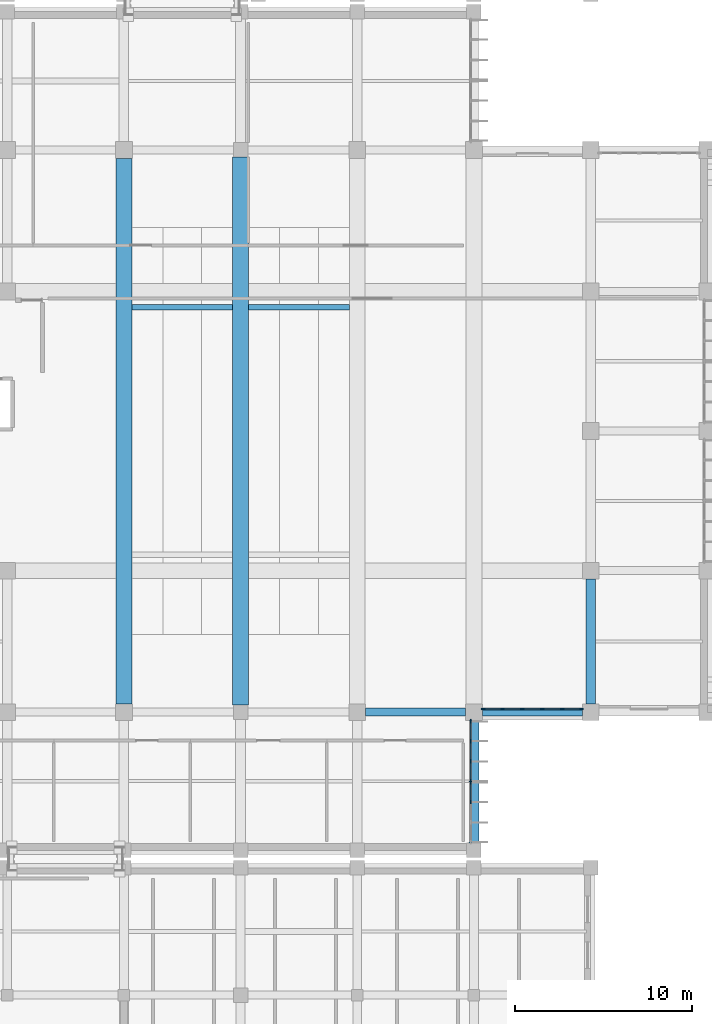
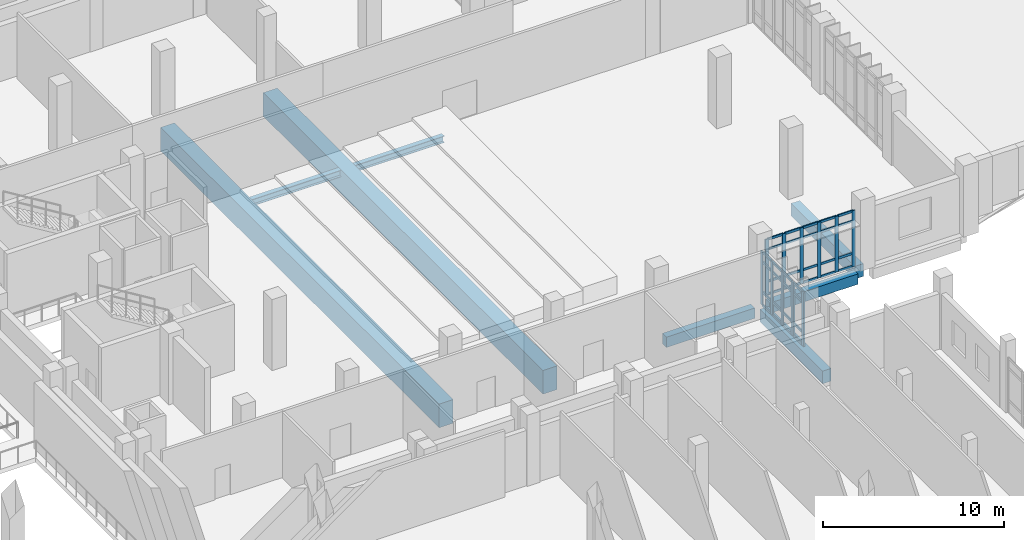
# One storey, part 19 of 90: 48 members, 8 beams, 3 elements without a shape of their own.
"""IFC4 building model written with IfcOpenShell, lengths in metres."""

from ifc_helpers import new_model, si_unit, direction, frame, origin, origin_2d, place, context, subcontext, project, spatial, rectangle, i_section, extrude, material, layer, layer_set, material_profile, profile_set, type_object, element, aggregate, save


model = new_model("IFC4")

# Units and contexts
model_context = context("Model", 3, precision=1e-05, world=origin(), true_north=direction((0.0, 1.0)))
body_context = subcontext(model_context, "Body", "Model", "MODEL_VIEW")
ifc_project = project(units=[si_unit("LENGTHUNIT", "METRE"), si_unit("AREAUNIT", "SQUARE_METRE"), si_unit("VOLUMEUNIT", "CUBIC_METRE"), si_unit("PLANEANGLEUNIT", "RADIAN"), si_unit("MASSUNIT", "GRAM", prefix="KILO")], contexts=[model_context])

# Site, building, storey
site_placement = place(None, origin())
site = spatial("IfcSite", under=ifc_project, at=site_placement, CompositionType="ELEMENT")
building_placement = place(site_placement, origin())
building = spatial("IfcBuilding", under=site, at=building_placement, Name="Kelarvand Opera House", CompositionType="ELEMENT")
storey_placement = place(building_placement, frame((0.0, 0.0, 5.39990234375)))
storey = spatial("IfcBuildingStorey", under=building, at=storey_placement, Name="L01", CompositionType="ELEMENT", Elevation=5.39990234375)

# Curtain wall, members
ifc_material_1 = material(Name="Thermally broken aluminium and low-E glazing", Category="aluminium")
ifc_layer_1 = layer(ifc_material_1, 0.219970703125, Name="Thermally broken aluminium and low-E glazing", Category="aluminium")
ifc_layer_set_1 = layer_set([ifc_layer_1], Name="Thermally broken aluminium and low-E glazing")
curtain_wall_type_1 = type_object("IfcCurtainWallType", Name="Unitised Low-E Curtain Wall 5630x3780 Mod 1150 CWF-03", PredefinedType="USERDEFINED", material=ifc_layer_set_1)
curtain_wall_1_placement = place(storey_placement, origin())
curtain_wall_1 = element("IfcCurtainWall", 1, at=curtain_wall_1_placement, inside=storey, type_object=curtain_wall_type_1, Name="V1 L01 Curtain Wall CWF-03 (12)", ObjectType="UNITISED CURTAIN WALL", PredefinedType="USERDEFINED")
ifc_material_2 = material(Name="Thermally broken anodised aluminium", Category="aluminium")
ifc_material_profile_1 = material_profile(ifc_material_2, rectangle(XDim=0.074951171875, YDim=0.219970703125, at=origin_2d()), Name="ALU MULLION 75x220", Category="aluminium")
ifc_profile_set_1 = profile_set([ifc_material_profile_1], Name="Thermally broken anodised aluminium")
member_type_1 = type_object("IfcMemberType", Name="Curtain Wall Mullion 75x220 Heavy Plaza", PredefinedType="MULLION", material=ifc_profile_set_1)
member_1_placement = place(storey_placement, frame((134.677490234375, 46.780029296875, 0.0), z_axis=(0.0, 0.0, 1.0), x_axis=(0.0, -1.0, 0.0)))
member_1 = element("IfcMember", 2, at=member_1_placement, type_object=member_type_1, Name="CWF-03 mullion 1", PredefinedType="MULLION", context=body_context, shape_type="SweptSolid", body=[
    extrude(rectangle(XDim=0.074951171875, YDim=0.219970703125, at=origin_2d()), origin(), (0.0, 0.0, 1.0), 3.780029296875),
])
member_2_placement = place(storey_placement, frame((133.589111328125, 46.780029296875, 0.0), z_axis=(0.0, 0.0, 1.0), x_axis=(0.0, -1.0, 0.0)))
member_2 = element("IfcMember", 3, at=member_2_placement, type_object=member_type_1, Name="CWF-03 mullion 2", PredefinedType="MULLION", context=body_context, shape_type="SweptSolid", body=[
    extrude(rectangle(XDim=0.074951171875, YDim=0.219970703125, at=origin_2d()), origin(), (0.0, 0.0, 1.0), 3.780029296875),
])
member_3_placement = place(storey_placement, frame((132.462890625, 46.780029296875, 0.0), z_axis=(0.0, 0.0, 1.0), x_axis=(0.0, -1.0, 0.0)))
member_3 = element("IfcMember", 4, at=member_3_placement, type_object=member_type_1, Name="CWF-03 mullion 3", PredefinedType="MULLION", context=body_context, shape_type="SweptSolid", body=[
    extrude(rectangle(XDim=0.074951171875, YDim=0.219970703125, at=origin_2d()), origin(), (0.0, 0.0, 1.0), 3.780029296875),
])
member_4_placement = place(storey_placement, frame((131.3369140625, 46.780029296875, 0.0), z_axis=(0.0, 0.0, 1.0), x_axis=(0.0, -1.0, 0.0)))
member_4 = element("IfcMember", 5, at=member_4_placement, type_object=member_type_1, Name="CWF-03 mullion 4", PredefinedType="MULLION", context=body_context, shape_type="SweptSolid", body=[
    extrude(rectangle(XDim=0.074951171875, YDim=0.219970703125, at=origin_2d()), origin(), (0.0, 0.0, 1.0), 3.780029296875),
])
member_5_placement = place(storey_placement, frame((130.2109375, 46.780029296875, 0.0), z_axis=(0.0, 0.0, 1.0), x_axis=(0.0, -1.0, 0.0)))
member_5 = element("IfcMember", 6, at=member_5_placement, type_object=member_type_1, Name="CWF-03 mullion 5", PredefinedType="MULLION", context=body_context, shape_type="SweptSolid", body=[
    extrude(rectangle(XDim=0.074951171875, YDim=0.219970703125, at=origin_2d()), origin(), (0.0, 0.0, 1.0), 3.780029296875),
])
member_6_placement = place(storey_placement, frame((129.12255859375, 46.780029296875, 0.0), z_axis=(0.0, 0.0, 1.0), x_axis=(0.0, -1.0, 0.0)))
member_6 = element("IfcMember", 7, at=member_6_placement, type_object=member_type_1, Name="CWF-03 mullion 6", PredefinedType="MULLION", context=body_context, shape_type="SweptSolid", body=[
    extrude(rectangle(XDim=0.074951171875, YDim=0.219970703125, at=origin_2d()), origin(), (0.0, 0.0, 1.0), 3.780029296875),
])

ifc_layer_2 = layer(ifc_material_1, 0.219970703125, Name="Thermally broken aluminium and low-E glazing", Category="aluminium")
ifc_layer_set_2 = layer_set([ifc_layer_2], Name="Thermally broken aluminium and low-E glazing")
curtain_wall_type_2 = type_object("IfcCurtainWallType", Name="Unitised Low-E Curtain Wall 3444x3630 Mod 1150 CWF-02", PredefinedType="USERDEFINED", material=ifc_layer_set_2)
curtain_wall_2_placement = place(storey_placement, origin())
curtain_wall_2 = element("IfcCurtainWall", 8, at=curtain_wall_2_placement, inside=storey, type_object=curtain_wall_type_2, Name="V1 L01 Curtain Wall CWF-02 (13)", ObjectType="UNITISED CURTAIN WALL", PredefinedType="USERDEFINED")
member_7_placement = place(storey_placement, frame((128.419921875, 46.077392578125, 0.0), z_axis=(0.0, 0.0, 1.0), x_axis=(1.0, 0.0, 0.0)))
member_7 = element("IfcMember", 9, at=member_7_placement, type_object=member_type_1, Name="CWF-02 mullion 1", PredefinedType="MULLION", context=body_context, shape_type="SweptSolid", body=[
    extrude(rectangle(XDim=0.074951171875, YDim=0.219970703125, at=origin_2d()), origin(), (0.0, 0.0, 1.0), 3.630126953125),
])
member_8_placement = place(storey_placement, frame((128.419921875, 44.96728515625, 0.0), z_axis=(0.0, 0.0, 1.0), x_axis=(1.0, 0.0, 0.0)))
member_8 = element("IfcMember", 10, at=member_8_placement, type_object=member_type_1, Name="CWF-02 mullion 2", PredefinedType="MULLION", context=body_context, shape_type="SweptSolid", body=[
    extrude(rectangle(XDim=0.074951171875, YDim=0.219970703125, at=origin_2d()), origin(), (0.0, 0.0, 1.0), 3.630126953125),
])
member_9_placement = place(storey_placement, frame((128.419921875, 43.8193359375, 0.0), z_axis=(0.0, 0.0, 1.0), x_axis=(1.0, 0.0, 0.0)))
member_9 = element("IfcMember", 11, at=member_9_placement, type_object=member_type_1, Name="CWF-02 mullion 3", PredefinedType="MULLION", context=body_context, shape_type="SweptSolid", body=[
    extrude(rectangle(XDim=0.074951171875, YDim=0.219970703125, at=origin_2d()), origin(), (0.0, 0.0, 1.0), 3.630126953125),
])
member_10_placement = place(storey_placement, frame((128.419921875, 42.708984375, 0.0), z_axis=(0.0, 0.0, 1.0), x_axis=(1.0, 0.0, 0.0)))
member_10 = element("IfcMember", 12, at=member_10_placement, type_object=member_type_1, Name="CWF-02 mullion 4", PredefinedType="MULLION", context=body_context, shape_type="SweptSolid", body=[
    extrude(rectangle(XDim=0.074951171875, YDim=0.219970703125, at=origin_2d()), origin(), (0.0, 0.0, 1.0), 3.630126953125),
])

curtain_wall_3_placement = place(storey_placement, origin())
curtain_wall_3 = element("IfcCurtainWall", 13, at=curtain_wall_3_placement, inside=storey, type_object=curtain_wall_type_2, Name="V1 L01 Curtain Wall CWF-02 (14)", ObjectType="UNITISED CURTAIN WALL", PredefinedType="USERDEFINED")
member_11_placement = place(storey_placement, frame((128.419921875, 42.6298828125, 0.0), z_axis=(0.0, 0.0, 1.0), x_axis=(1.0, 0.0, 0.0)))
member_11 = element("IfcMember", 14, at=member_11_placement, type_object=member_type_1, Name="CWF-02 mullion 1", PredefinedType="MULLION", context=body_context, shape_type="SweptSolid", body=[
    extrude(rectangle(XDim=0.074951171875, YDim=0.219970703125, at=origin_2d()), origin(), (0.0, 0.0, 1.0), 3.630126953125),
])
member_12_placement = place(storey_placement, frame((128.419921875, 41.518310546875, 0.0), z_axis=(0.0, 0.0, 1.0), x_axis=(1.0, 0.0, 0.0)))
member_12 = element("IfcMember", 15, at=member_12_placement, type_object=member_type_1, Name="CWF-02 mullion 2", PredefinedType="MULLION", context=body_context, shape_type="SweptSolid", body=[
    extrude(rectangle(XDim=0.074951171875, YDim=0.219970703125, at=origin_2d()), origin(), (0.0, 0.0, 1.0), 3.630126953125),
])

# Member
ifc_material_profile_2 = material_profile(ifc_material_2, rectangle(XDim=0.074951171875, YDim=0.159912109375, at=origin_2d()), Name="ALU TRANSOM 75x160", Category="aluminium")
ifc_profile_set_2 = profile_set([ifc_material_profile_2], Name="Thermally broken anodised aluminium")
member_type_2 = type_object("IfcMemberType", Name="Curtain Wall Transom 75x160 Heavy Plaza", PredefinedType="USERDEFINED", material=ifc_profile_set_2)
member_13_placement = place(storey_placement, frame((134.639892578125, 46.780029296875, 0.03759765625), z_axis=(-1.0, 0.0, 0.0), x_axis=(0.0, -1.0, 0.0)))
member_13 = element("IfcMember", 16, at=member_13_placement, type_object=member_type_2, Name="CWF-03 transom 1.1", ObjectType="TRANSOM", PredefinedType="USERDEFINED", context=body_context, shape_type="SweptSolid", body=[
    extrude(rectangle(XDim=0.074951171875, YDim=0.159912109375, at=origin_2d()), origin(), (0.0, 0.0, 1.0), 1.013427734375),
])

member_14_placement = place(storey_placement, frame((134.639892578125, 46.780029296875, 0.900146484375), z_axis=(-1.0, 0.0, 0.0), x_axis=(0.0, -1.0, 0.0)))
member_14 = element("IfcMember", 17, at=member_14_placement, type_object=member_type_2, Name="CWF-03 transom 1.2", ObjectType="TRANSOM", PredefinedType="USERDEFINED", context=body_context, shape_type="SweptSolid", body=[
    extrude(rectangle(XDim=0.074951171875, YDim=0.159912109375, at=origin_2d()), origin(), (0.0, 0.0, 1.0), 1.013427734375),
])

member_15_placement = place(storey_placement, frame((134.639892578125, 46.780029296875, 3.080078125), z_axis=(-1.0, 0.0, 0.0), x_axis=(0.0, -1.0, 0.0)))
member_15 = element("IfcMember", 18, at=member_15_placement, type_object=member_type_2, Name="CWF-03 transom 1.3", ObjectType="TRANSOM", PredefinedType="USERDEFINED", context=body_context, shape_type="SweptSolid", body=[
    extrude(rectangle(XDim=0.074951171875, YDim=0.159912109375, at=origin_2d()), origin(), (0.0, 0.0, 1.0), 1.013427734375),
])

member_16_placement = place(storey_placement, frame((134.639892578125, 46.780029296875, 3.74267578125), z_axis=(-1.0, 0.0, 0.0), x_axis=(0.0, -1.0, 0.0)))
member_16 = element("IfcMember", 19, at=member_16_placement, type_object=member_type_2, Name="CWF-03 transom 1.4", ObjectType="TRANSOM", PredefinedType="USERDEFINED", context=body_context, shape_type="SweptSolid", body=[
    extrude(rectangle(XDim=0.074951171875, YDim=0.159912109375, at=origin_2d()), origin(), (0.0, 0.0, 1.0), 1.013427734375),
])

member_17_placement = place(storey_placement, frame((133.551513671875, 46.780029296875, 0.03759765625), z_axis=(-1.0, 0.0, 0.0), x_axis=(0.0, -1.0, 0.0)))
member_17 = element("IfcMember", 20, at=member_17_placement, type_object=member_type_2, Name="CWF-03 transom 2.1", ObjectType="TRANSOM", PredefinedType="USERDEFINED", context=body_context, shape_type="SweptSolid", body=[
    extrude(rectangle(XDim=0.074951171875, YDim=0.159912109375, at=origin_2d()), origin(), (0.0, 0.0, 1.0), 1.051025390625),
])

member_18_placement = place(storey_placement, frame((133.551513671875, 46.780029296875, 0.900146484375), z_axis=(-1.0, 0.0, 0.0), x_axis=(0.0, -1.0, 0.0)))
member_18 = element("IfcMember", 21, at=member_18_placement, type_object=member_type_2, Name="CWF-03 transom 2.2", ObjectType="TRANSOM", PredefinedType="USERDEFINED", context=body_context, shape_type="SweptSolid", body=[
    extrude(rectangle(XDim=0.074951171875, YDim=0.159912109375, at=origin_2d()), origin(), (0.0, 0.0, 1.0), 1.051025390625),
])

member_19_placement = place(storey_placement, frame((133.551513671875, 46.780029296875, 3.080078125), z_axis=(-1.0, 0.0, 0.0), x_axis=(0.0, -1.0, 0.0)))
member_19 = element("IfcMember", 22, at=member_19_placement, type_object=member_type_2, Name="CWF-03 transom 2.3", ObjectType="TRANSOM", PredefinedType="USERDEFINED", context=body_context, shape_type="SweptSolid", body=[
    extrude(rectangle(XDim=0.074951171875, YDim=0.159912109375, at=origin_2d()), origin(), (0.0, 0.0, 1.0), 1.051025390625),
])

member_20_placement = place(storey_placement, frame((133.551513671875, 46.780029296875, 3.74267578125), z_axis=(-1.0, 0.0, 0.0), x_axis=(0.0, -1.0, 0.0)))
member_20 = element("IfcMember", 23, at=member_20_placement, type_object=member_type_2, Name="CWF-03 transom 2.4", ObjectType="TRANSOM", PredefinedType="USERDEFINED", context=body_context, shape_type="SweptSolid", body=[
    extrude(rectangle(XDim=0.074951171875, YDim=0.159912109375, at=origin_2d()), origin(), (0.0, 0.0, 1.0), 1.051025390625),
])

member_21_placement = place(storey_placement, frame((132.425537109375, 46.780029296875, 0.03759765625), z_axis=(-1.0, 0.0, 0.0), x_axis=(0.0, -1.0, 0.0)))
member_21 = element("IfcMember", 24, at=member_21_placement, type_object=member_type_2, Name="CWF-03 transom 3.1", ObjectType="TRANSOM", PredefinedType="USERDEFINED", context=body_context, shape_type="SweptSolid", body=[
    extrude(rectangle(XDim=0.074951171875, YDim=0.159912109375, at=origin_2d()), origin(), (0.0, 0.0, 1.0), 1.051025390625),
])

member_22_placement = place(storey_placement, frame((132.425537109375, 46.780029296875, 0.900146484375), z_axis=(-1.0, 0.0, 0.0), x_axis=(0.0, -1.0, 0.0)))
member_22 = element("IfcMember", 25, at=member_22_placement, type_object=member_type_2, Name="CWF-03 transom 3.2", ObjectType="TRANSOM", PredefinedType="USERDEFINED", context=body_context, shape_type="SweptSolid", body=[
    extrude(rectangle(XDim=0.074951171875, YDim=0.159912109375, at=origin_2d()), origin(), (0.0, 0.0, 1.0), 1.051025390625),
])

member_23_placement = place(storey_placement, frame((132.425537109375, 46.780029296875, 3.080078125), z_axis=(-1.0, 0.0, 0.0), x_axis=(0.0, -1.0, 0.0)))
member_23 = element("IfcMember", 26, at=member_23_placement, type_object=member_type_2, Name="CWF-03 transom 3.3", ObjectType="TRANSOM", PredefinedType="USERDEFINED", context=body_context, shape_type="SweptSolid", body=[
    extrude(rectangle(XDim=0.074951171875, YDim=0.159912109375, at=origin_2d()), origin(), (0.0, 0.0, 1.0), 1.051025390625),
])

member_24_placement = place(storey_placement, frame((132.425537109375, 46.780029296875, 3.74267578125), z_axis=(-1.0, 0.0, 0.0), x_axis=(0.0, -1.0, 0.0)))
member_24 = element("IfcMember", 27, at=member_24_placement, type_object=member_type_2, Name="CWF-03 transom 3.4", ObjectType="TRANSOM", PredefinedType="USERDEFINED", context=body_context, shape_type="SweptSolid", body=[
    extrude(rectangle(XDim=0.074951171875, YDim=0.159912109375, at=origin_2d()), origin(), (0.0, 0.0, 1.0), 1.051025390625),
])

member_25_placement = place(storey_placement, frame((131.299560546875, 46.780029296875, 0.03759765625), z_axis=(-1.0, 0.0, 0.0), x_axis=(0.0, -1.0, 0.0)))
member_25 = element("IfcMember", 28, at=member_25_placement, type_object=member_type_2, Name="CWF-03 transom 4.1", ObjectType="TRANSOM", PredefinedType="USERDEFINED", context=body_context, shape_type="SweptSolid", body=[
    extrude(rectangle(XDim=0.074951171875, YDim=0.159912109375, at=origin_2d()), origin(), (0.0, 0.0, 1.0), 1.051025390625),
])

member_26_placement = place(storey_placement, frame((131.299560546875, 46.780029296875, 0.900146484375), z_axis=(-1.0, 0.0, 0.0), x_axis=(0.0, -1.0, 0.0)))
member_26 = element("IfcMember", 29, at=member_26_placement, type_object=member_type_2, Name="CWF-03 transom 4.2", ObjectType="TRANSOM", PredefinedType="USERDEFINED", context=body_context, shape_type="SweptSolid", body=[
    extrude(rectangle(XDim=0.074951171875, YDim=0.159912109375, at=origin_2d()), origin(), (0.0, 0.0, 1.0), 1.051025390625),
])

member_27_placement = place(storey_placement, frame((131.299560546875, 46.780029296875, 3.080078125), z_axis=(-1.0, 0.0, 0.0), x_axis=(0.0, -1.0, 0.0)))
member_27 = element("IfcMember", 30, at=member_27_placement, type_object=member_type_2, Name="CWF-03 transom 4.3", ObjectType="TRANSOM", PredefinedType="USERDEFINED", context=body_context, shape_type="SweptSolid", body=[
    extrude(rectangle(XDim=0.074951171875, YDim=0.159912109375, at=origin_2d()), origin(), (0.0, 0.0, 1.0), 1.051025390625),
])

member_28_placement = place(storey_placement, frame((131.299560546875, 46.780029296875, 3.74267578125), z_axis=(-1.0, 0.0, 0.0), x_axis=(0.0, -1.0, 0.0)))
member_28 = element("IfcMember", 31, at=member_28_placement, type_object=member_type_2, Name="CWF-03 transom 4.4", ObjectType="TRANSOM", PredefinedType="USERDEFINED", context=body_context, shape_type="SweptSolid", body=[
    extrude(rectangle(XDim=0.074951171875, YDim=0.159912109375, at=origin_2d()), origin(), (0.0, 0.0, 1.0), 1.051025390625),
])

member_29_placement = place(storey_placement, frame((130.173583984375, 46.780029296875, 0.03759765625), z_axis=(-1.0, 0.0, 0.0), x_axis=(0.0, -1.0, 0.0)))
member_29 = element("IfcMember", 32, at=member_29_placement, type_object=member_type_2, Name="CWF-03 transom 5.1", ObjectType="TRANSOM", PredefinedType="USERDEFINED", context=body_context, shape_type="SweptSolid", body=[
    extrude(rectangle(XDim=0.074951171875, YDim=0.159912109375, at=origin_2d()), origin(), (0.0, 0.0, 1.0), 1.013671875),
])

member_30_placement = place(storey_placement, frame((130.173583984375, 46.780029296875, 0.900146484375), z_axis=(-1.0, 0.0, 0.0), x_axis=(0.0, -1.0, 0.0)))
member_30 = element("IfcMember", 33, at=member_30_placement, type_object=member_type_2, Name="CWF-03 transom 5.2", ObjectType="TRANSOM", PredefinedType="USERDEFINED", context=body_context, shape_type="SweptSolid", body=[
    extrude(rectangle(XDim=0.074951171875, YDim=0.159912109375, at=origin_2d()), origin(), (0.0, 0.0, 1.0), 1.013671875),
])

member_31_placement = place(storey_placement, frame((130.173583984375, 46.780029296875, 3.080078125), z_axis=(-1.0, 0.0, 0.0), x_axis=(0.0, -1.0, 0.0)))
member_31 = element("IfcMember", 34, at=member_31_placement, type_object=member_type_2, Name="CWF-03 transom 5.3", ObjectType="TRANSOM", PredefinedType="USERDEFINED", context=body_context, shape_type="SweptSolid", body=[
    extrude(rectangle(XDim=0.074951171875, YDim=0.159912109375, at=origin_2d()), origin(), (0.0, 0.0, 1.0), 1.013671875),
])

member_32_placement = place(storey_placement, frame((130.173583984375, 46.780029296875, 3.74267578125), z_axis=(-1.0, 0.0, 0.0), x_axis=(0.0, -1.0, 0.0)))
member_32 = element("IfcMember", 35, at=member_32_placement, type_object=member_type_2, Name="CWF-03 transom 5.4", ObjectType="TRANSOM", PredefinedType="USERDEFINED", context=body_context, shape_type="SweptSolid", body=[
    extrude(rectangle(XDim=0.074951171875, YDim=0.159912109375, at=origin_2d()), origin(), (0.0, 0.0, 1.0), 1.013671875),
])

aggregate(curtain_wall_1, [member_1, member_2, member_3, member_4, member_5, member_6, member_13, member_14, member_15, member_16, member_17, member_18, member_19, member_20, member_21, member_22, member_23, member_24, member_25, member_26, member_27, member_28, member_29, member_30, member_31, member_32])

member_33_placement = place(storey_placement, frame((128.419921875, 46.0400390625, 0.03759765625), z_axis=(0.0, -1.0, 0.0), x_axis=(1.0, 0.0, 0.0)))
member_33 = element("IfcMember", 36, at=member_33_placement, type_object=member_type_2, Name="CWF-02 transom 1.1", ObjectType="TRANSOM", PredefinedType="USERDEFINED", context=body_context, shape_type="SweptSolid", body=[
    extrude(rectangle(XDim=0.074951171875, YDim=0.159912109375, at=origin_2d()), origin(), (0.0, 0.0, 1.0), 1.035400390625),
])

member_34_placement = place(storey_placement, frame((128.419921875, 46.0400390625, 0.900146484375), z_axis=(0.0, -1.0, 0.0), x_axis=(1.0, 0.0, 0.0)))
member_34 = element("IfcMember", 37, at=member_34_placement, type_object=member_type_2, Name="CWF-02 transom 1.2", ObjectType="TRANSOM", PredefinedType="USERDEFINED", context=body_context, shape_type="SweptSolid", body=[
    extrude(rectangle(XDim=0.074951171875, YDim=0.159912109375, at=origin_2d()), origin(), (0.0, 0.0, 1.0), 1.035400390625),
])

member_35_placement = place(storey_placement, frame((128.419921875, 46.0400390625, 2.93017578125), z_axis=(0.0, -1.0, 0.0), x_axis=(1.0, 0.0, 0.0)))
member_35 = element("IfcMember", 38, at=member_35_placement, type_object=member_type_2, Name="CWF-02 transom 1.3", ObjectType="TRANSOM", PredefinedType="USERDEFINED", context=body_context, shape_type="SweptSolid", body=[
    extrude(rectangle(XDim=0.074951171875, YDim=0.159912109375, at=origin_2d()), origin(), (0.0, 0.0, 1.0), 1.035400390625),
])

member_36_placement = place(storey_placement, frame((128.419921875, 46.0400390625, 3.592529296875), z_axis=(0.0, -1.0, 0.0), x_axis=(1.0, 0.0, 0.0)))
member_36 = element("IfcMember", 39, at=member_36_placement, type_object=member_type_2, Name="CWF-02 transom 1.4", ObjectType="TRANSOM", PredefinedType="USERDEFINED", context=body_context, shape_type="SweptSolid", body=[
    extrude(rectangle(XDim=0.074951171875, YDim=0.159912109375, at=origin_2d()), origin(), (0.0, 0.0, 1.0), 1.035400390625),
])

member_37_placement = place(storey_placement, frame((128.419921875, 44.9296875, 0.03759765625), z_axis=(0.0, -1.0, 0.0), x_axis=(1.0, 0.0, 0.0)))
member_37 = element("IfcMember", 40, at=member_37_placement, type_object=member_type_2, Name="CWF-02 transom 2.1", ObjectType="TRANSOM", PredefinedType="USERDEFINED", context=body_context, shape_type="SweptSolid", body=[
    extrude(rectangle(XDim=0.074951171875, YDim=0.159912109375, at=origin_2d()), origin(), (0.0, 0.0, 1.0), 1.07275390625),
])

member_38_placement = place(storey_placement, frame((128.419921875, 44.9296875, 0.900146484375), z_axis=(0.0, -1.0, 0.0), x_axis=(1.0, 0.0, 0.0)))
member_38 = element("IfcMember", 41, at=member_38_placement, type_object=member_type_2, Name="CWF-02 transom 2.2", ObjectType="TRANSOM", PredefinedType="USERDEFINED", context=body_context, shape_type="SweptSolid", body=[
    extrude(rectangle(XDim=0.074951171875, YDim=0.159912109375, at=origin_2d()), origin(), (0.0, 0.0, 1.0), 1.07275390625),
])

member_39_placement = place(storey_placement, frame((128.419921875, 44.9296875, 2.93017578125), z_axis=(0.0, -1.0, 0.0), x_axis=(1.0, 0.0, 0.0)))
member_39 = element("IfcMember", 42, at=member_39_placement, type_object=member_type_2, Name="CWF-02 transom 2.3", ObjectType="TRANSOM", PredefinedType="USERDEFINED", context=body_context, shape_type="SweptSolid", body=[
    extrude(rectangle(XDim=0.074951171875, YDim=0.159912109375, at=origin_2d()), origin(), (0.0, 0.0, 1.0), 1.07275390625),
])

member_40_placement = place(storey_placement, frame((128.419921875, 44.9296875, 3.592529296875), z_axis=(0.0, -1.0, 0.0), x_axis=(1.0, 0.0, 0.0)))
member_40 = element("IfcMember", 43, at=member_40_placement, type_object=member_type_2, Name="CWF-02 transom 2.4", ObjectType="TRANSOM", PredefinedType="USERDEFINED", context=body_context, shape_type="SweptSolid", body=[
    extrude(rectangle(XDim=0.074951171875, YDim=0.159912109375, at=origin_2d()), origin(), (0.0, 0.0, 1.0), 1.07275390625),
])

member_41_placement = place(storey_placement, frame((128.419921875, 43.78173828125, 0.03759765625), z_axis=(0.0, -1.0, 0.0), x_axis=(1.0, 0.0, 0.0)))
member_41 = element("IfcMember", 44, at=member_41_placement, type_object=member_type_2, Name="CWF-02 transom 3.1", ObjectType="TRANSOM", PredefinedType="USERDEFINED", context=body_context, shape_type="SweptSolid", body=[
    extrude(rectangle(XDim=0.074951171875, YDim=0.159912109375, at=origin_2d()), origin(), (0.0, 0.0, 1.0), 1.03515625),
])

member_42_placement = place(storey_placement, frame((128.419921875, 43.78173828125, 0.900146484375), z_axis=(0.0, -1.0, 0.0), x_axis=(1.0, 0.0, 0.0)))
member_42 = element("IfcMember", 45, at=member_42_placement, type_object=member_type_2, Name="CWF-02 transom 3.2", ObjectType="TRANSOM", PredefinedType="USERDEFINED", context=body_context, shape_type="SweptSolid", body=[
    extrude(rectangle(XDim=0.074951171875, YDim=0.159912109375, at=origin_2d()), origin(), (0.0, 0.0, 1.0), 1.03515625),
])

member_43_placement = place(storey_placement, frame((128.419921875, 43.78173828125, 2.93017578125), z_axis=(0.0, -1.0, 0.0), x_axis=(1.0, 0.0, 0.0)))
member_43 = element("IfcMember", 46, at=member_43_placement, type_object=member_type_2, Name="CWF-02 transom 3.3", ObjectType="TRANSOM", PredefinedType="USERDEFINED", context=body_context, shape_type="SweptSolid", body=[
    extrude(rectangle(XDim=0.074951171875, YDim=0.159912109375, at=origin_2d()), origin(), (0.0, 0.0, 1.0), 1.03515625),
])

member_44_placement = place(storey_placement, frame((128.419921875, 43.78173828125, 3.592529296875), z_axis=(0.0, -1.0, 0.0), x_axis=(1.0, 0.0, 0.0)))
member_44 = element("IfcMember", 47, at=member_44_placement, type_object=member_type_2, Name="CWF-02 transom 3.4", ObjectType="TRANSOM", PredefinedType="USERDEFINED", context=body_context, shape_type="SweptSolid", body=[
    extrude(rectangle(XDim=0.074951171875, YDim=0.159912109375, at=origin_2d()), origin(), (0.0, 0.0, 1.0), 1.03515625),
])

aggregate(curtain_wall_2, [member_7, member_8, member_9, member_10, member_33, member_34, member_35, member_36, member_37, member_38, member_39, member_40, member_41, member_42, member_43, member_44])

member_45_placement = place(storey_placement, frame((128.419921875, 42.592529296875, 0.03759765625), z_axis=(0.0, -1.0, 0.0), x_axis=(1.0, 0.0, 0.0)))
member_45 = element("IfcMember", 48, at=member_45_placement, type_object=member_type_2, Name="CWF-02 transom 1.1", ObjectType="TRANSOM", PredefinedType="USERDEFINED", context=body_context, shape_type="SweptSolid", body=[
    extrude(rectangle(XDim=0.074951171875, YDim=0.159912109375, at=origin_2d()), origin(), (0.0, 0.0, 1.0), 1.03662109375),
])

member_46_placement = place(storey_placement, frame((128.419921875, 42.592529296875, 0.900146484375), z_axis=(0.0, -1.0, 0.0), x_axis=(1.0, 0.0, 0.0)))
member_46 = element("IfcMember", 49, at=member_46_placement, type_object=member_type_2, Name="CWF-02 transom 1.2", ObjectType="TRANSOM", PredefinedType="USERDEFINED", context=body_context, shape_type="SweptSolid", body=[
    extrude(rectangle(XDim=0.074951171875, YDim=0.159912109375, at=origin_2d()), origin(), (0.0, 0.0, 1.0), 1.03662109375),
])

member_47_placement = place(storey_placement, frame((128.419921875, 42.592529296875, 2.93017578125), z_axis=(0.0, -1.0, 0.0), x_axis=(1.0, 0.0, 0.0)))
member_47 = element("IfcMember", 50, at=member_47_placement, type_object=member_type_2, Name="CWF-02 transom 1.3", ObjectType="TRANSOM", PredefinedType="USERDEFINED", context=body_context, shape_type="SweptSolid", body=[
    extrude(rectangle(XDim=0.074951171875, YDim=0.159912109375, at=origin_2d()), origin(), (0.0, 0.0, 1.0), 1.03662109375),
])

member_48_placement = place(storey_placement, frame((128.419921875, 42.592529296875, 3.592529296875), z_axis=(0.0, -1.0, 0.0), x_axis=(1.0, 0.0, 0.0)))
member_48 = element("IfcMember", 51, at=member_48_placement, type_object=member_type_2, Name="CWF-02 transom 1.4", ObjectType="TRANSOM", PredefinedType="USERDEFINED", context=body_context, shape_type="SweptSolid", body=[
    extrude(rectangle(XDim=0.074951171875, YDim=0.159912109375, at=origin_2d()), origin(), (0.0, 0.0, 1.0), 1.03662109375),
])

aggregate(curtain_wall_3, [member_11, member_12, member_45, member_46, member_47, member_48])

# Beams
ifc_material_3 = material(Name="Concrete C40/50", Category="concrete")
ifc_material_profile_3 = material_profile(ifc_material_3, rectangle(XDim=0.449951171875, YDim=0.699951171875, at=origin_2d()), Name="RC 450x700", Category="concrete")
ifc_profile_set_3 = profile_set([ifc_material_profile_3], Name="Concrete C40/50")
beam_type_1 = type_object("IfcBeamType", Name="Structural Beam RC 450x700 BM-RC450x700", PredefinedType="BEAM", material=ifc_profile_set_3)
beam_1_placement = place(storey_placement, frame((122.47509765625, 46.60009765625, -0.64990234375), z_axis=(1.0, 0.0, 0.0), x_axis=(0.0, 1.0, 0.0)))
element("IfcBeam", 52, at=beam_1_placement, inside=storey, type_object=beam_type_1, Name="V1 L01 Beam BM-RC450x700", PredefinedType="BEAM", context=body_context, shape_type="SweptSolid", body=[
    extrude(rectangle(XDim=0.449951171875, YDim=0.699951171875, at=origin_2d()), origin(), (0.0, 0.0, 1.0), 5.64990234375),
])
beam_2_placement = place(storey_placement, frame((129.074951171875, 46.60009765625, -0.64990234375), z_axis=(1.0, 0.0, 0.0), x_axis=(0.0, 1.0, 0.0)))
element("IfcBeam", 53, at=beam_2_placement, inside=storey, type_object=beam_type_1, Name="V1 L01 Beam BM-RC450x700", PredefinedType="BEAM", context=body_context, shape_type="SweptSolid", body=[
    extrude(rectangle(XDim=0.449951171875, YDim=0.699951171875, at=origin_2d()), origin(), (0.0, 0.0, 1.0), 5.650146484375),
])
ifc_material_profile_4 = material_profile(ifc_material_3, rectangle(XDim=0.550048828125, YDim=0.85009765625, at=origin_2d()), Name="RC 550x850", Category="concrete")
ifc_profile_set_4 = profile_set([ifc_material_profile_4], Name="Concrete C40/50")
beam_type_2 = type_object("IfcBeamType", Name="Structural Beam RC 550x850 BM-RC550x850", PredefinedType="BEAM", material=ifc_profile_set_4)
beam_3_placement = place(storey_placement, frame((128.60009765625, 39.2099609375, -0.724853515625), z_axis=(0.0, 1.0, 0.0), x_axis=(-1.0, 0.0, 0.0)))
element("IfcBeam", 54, at=beam_3_placement, inside=storey, type_object=beam_type_2, Name="V1 L01 Beam BM-RC550x850", PredefinedType="BEAM", context=body_context, shape_type="SweptSolid", body=[
    extrude(rectangle(XDim=0.550048828125, YDim=0.85009765625, at=origin_2d()), origin(), (0.0, 0.0, 1.0), 6.9150390625),
])
beam_4_placement = place(storey_placement, frame((135.199951171875, 47.074951171875, -0.724853515625), z_axis=(0.0, 1.0, 0.0), x_axis=(-1.0, 0.0, 0.0)))
element("IfcBeam", 55, at=beam_4_placement, inside=storey, type_object=beam_type_2, Name="V1 L01 Beam BM-RC550x850", PredefinedType="BEAM", context=body_context, shape_type="SweptSolid", body=[
    extrude(rectangle(XDim=0.550048828125, YDim=0.85009765625, at=origin_2d()), origin(), (0.0, 0.0, 1.0), 7.050048828125),
])
ifc_material_profile_5 = material_profile(ifc_material_3, rectangle(XDim=0.89990234375, YDim=1.60009765625, at=origin_2d()), Name="RC 900x1600", Category="concrete")
ifc_profile_set_5 = profile_set([ifc_material_profile_5], Name="Concrete C40/50")
beam_type_3 = type_object("IfcBeamType", Name="Structural Beam RC 900x1600 BM-RC900x1600", PredefinedType="BEAM", material=ifc_profile_set_5)
beam_5_placement = place(storey_placement, frame((108.800048828125, 47.074951171875, -1.099853515625), z_axis=(0.0, 1.0, 0.0), x_axis=(-1.0, 0.0, 0.0)))
element("IfcBeam", 56, at=beam_5_placement, inside=storey, type_object=beam_type_3, Name="V1 L01 Beam BM-RC900x1600", PredefinedType="BEAM", context=body_context, shape_type="SweptSolid", body=[
    extrude(rectangle(XDim=0.89990234375, YDim=1.60009765625, at=origin_2d()), origin(), (0.0, 0.0, 1.0), 30.85009765625),
])
beam_6_placement = place(storey_placement, frame((115.39990234375, 47.010009765625, -1.099853515625), z_axis=(0.0, 1.0, 0.0), x_axis=(-1.0, 0.0, 0.0)))
element("IfcBeam", 57, at=beam_6_placement, inside=storey, type_object=beam_type_3, Name="V1 L01 Beam BM-RC900x1600", PredefinedType="BEAM", context=body_context, shape_type="SweptSolid", body=[
    extrude(rectangle(XDim=0.89990234375, YDim=1.60009765625, at=origin_2d()), origin(), (0.0, 0.0, 1.0), 30.97998046875),
])
ifc_material_4 = material(Name="Steel S355", Category="steel")
ifc_material_profile_6 = material_profile(ifc_material_4, i_section(OverallWidth=0.300048828125, OverallDepth=0.449951171875, WebThickness=0.013916015625, FlangeThickness=0.02587890625, at=origin_2d()), Name="HEB 450", Category="steel")
ifc_profile_set_6 = profile_set([ifc_material_profile_6], Name="Steel S355")
beam_type_4 = type_object("IfcBeamType", Name="Structural Raker HEB 450 RK-HEB450", PredefinedType="USERDEFINED", material=ifc_profile_set_6)
for number, where, z_axis, x_axis, name in (
    (58, (109.25, 69.5, -0.52490234375), (1.0, 0.0, 0.0), (0.0, 1.0, 0.0), "V1 Seating Raker Beam 2"),
    (59, (115.85009765625, 69.5, -0.52490234375), (1.0, 0.0, 0.0), (0.0, 1.0, 0.0), "V1 Seating Raker Beam 4"),
):
    element("IfcBeam", number, at=place(storey_placement, frame(where, z_axis=z_axis, x_axis=x_axis)), inside=storey, type_object=beam_type_4, Name=name, ObjectType="RAKER", PredefinedType="USERDEFINED", context=body_context, shape_type="SweptSolid", body=[
        extrude(i_section(OverallWidth=0.300048828125, OverallDepth=0.449951171875, WebThickness=0.013916015625, FlangeThickness=0.02587890625, at=origin_2d()), origin(), (0.0, 0.0, 1.0), 5.699951171875),
    ])

save(model, "model.ifc")
